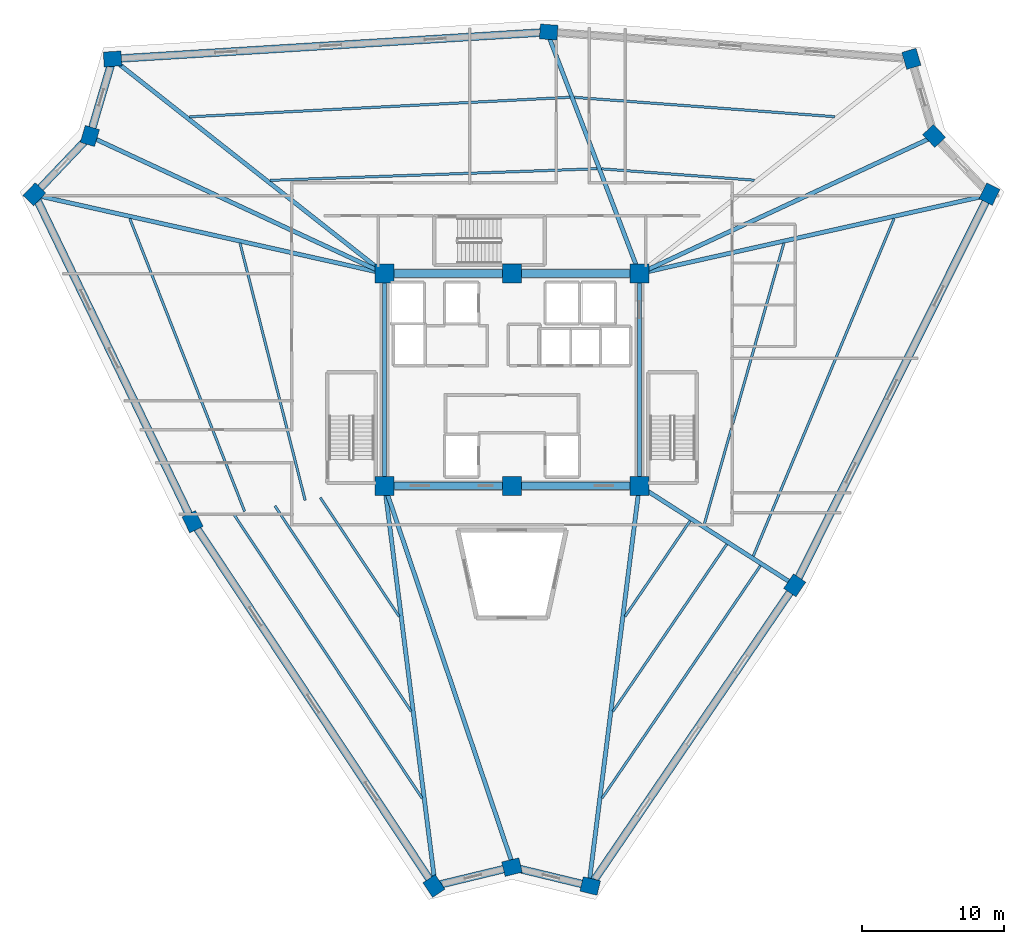
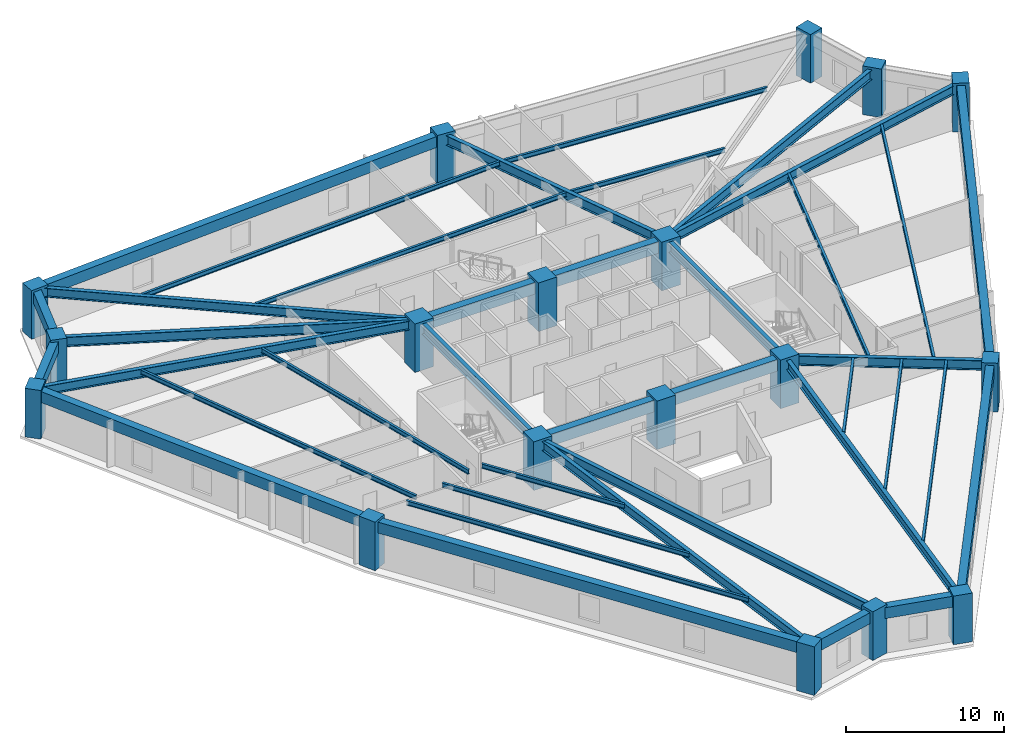
# One storey, part 1 of 8: 39 beams, 18 columns.
"""IFC4 building model written with IfcOpenShell, lengths in metres."""

from ifc_helpers import new_model, si_unit, direction, frame, origin, origin_2d, place, context, subcontext, project, spatial, rectangle, i_section, extrude, source, transform, mapped, material, material_profile, profile_set, type_object, element, save


model = new_model("IFC4")

# Units and contexts
model_context = context("Model", 3, precision=1e-05, world=origin(), true_north=direction((0.0, 1.0)))
body_context = subcontext(model_context, "Body", "Model", "MODEL_VIEW")
ifc_project = project(units=[si_unit("LENGTHUNIT", "METRE"), si_unit("AREAUNIT", "SQUARE_METRE"), si_unit("VOLUMEUNIT", "CUBIC_METRE"), si_unit("PLANEANGLEUNIT", "RADIAN"), si_unit("MASSUNIT", "GRAM", prefix="KILO")], contexts=[model_context])

# Site, building, storey
site_placement = place(None, origin())
site = spatial("IfcSite", under=ifc_project, at=site_placement, CompositionType="ELEMENT")
building_placement = place(site_placement, origin())
building = spatial("IfcBuilding", under=site, at=building_placement, Name="Liaohun Quay Tower", CompositionType="ELEMENT")
storey_placement = place(building_placement, frame((0.0, 0.0, 209.25)))
storey = spatial("IfcBuildingStorey", under=building, at=storey_placement, Name="L54", CompositionType="ELEMENT", Elevation=209.25)

# Columns
ifc_material_1 = material(Name="Concrete C55", Category="concrete")
ifc_material_profile_1 = material_profile(ifc_material_1, rectangle(XDim=1.35009765625, YDim=1.35009765625, at=origin_2d()), Name="RC1350x1350")
ifc_profile_set_1 = profile_set([ifc_material_profile_1], Name="Concrete C55")
column_type_1 = type_object("IfcColumnType", Name="COL-CC-Z3", PredefinedType="COLUMN", material=ifc_profile_set_1)
shared_shape_1 = source(origin(), body_context, "Body", "SweptSolid", [
    extrude(rectangle(XDim=1.35009765625, YDim=1.35009765625, at=origin_2d()), origin(), (0.0, 0.0, 1.0), 3.75),
])
for number, where, z_axis, x_axis, name in (
    (1, (51.0, 46.5, 0.0), (0.0, 0.0, 1.0), (1.0, 0.0, 0.0), "L54 Core Column CC1"),
    (2, (60.0, 46.5, 0.0), (0.0, 0.0, 1.0), (1.0, 0.0, 0.0), "L54 Core Column CC2"),
    (3, (69.0, 46.5, 0.0), (0.0, 0.0, 1.0), (1.0, 0.0, 0.0), "L54 Core Column CC3"),
    (4, (69.0, 61.5, 0.0), (0.0, 0.0, 1.0), (1.0, 0.0, 0.0), "L54 Core Column CC4"),
    (5, (60.0, 61.5, 0.0), (0.0, 0.0, 1.0), (1.0, 0.0, 0.0), "L54 Core Column CC5"),
    (6, (51.0, 61.5, 0.0), (0.0, 0.0, 1.0), (1.0, 0.0, 0.0), "L54 Core Column CC6"),
):
    element("IfcColumn", number, at=place(storey_placement, frame(where, z_axis=z_axis, x_axis=x_axis)), inside=storey, type_object=column_type_1, Name=name, PredefinedType="COLUMN", context=body_context, shape_type="MappedRepresentation", body=[
        mapped(shared_shape_1, transform((0.0, 0.0, 0.0), x_axis=(1.0, 0.0, 0.0), y_axis=(0.0, 1.0, 0.0), z_axis=(0.0, 0.0, 1.0), scale=1.0)),
    ])
ifc_material_profile_2 = material_profile(ifc_material_1, rectangle(XDim=1.25, YDim=1.050048828125, at=origin_2d()), Name="RC1250x1050")
ifc_profile_set_2 = profile_set([ifc_material_profile_2], Name="Concrete C55")
column_type_2 = type_object("IfcColumnType", Name="COL-PIER-Z3", PredefinedType="COLUMN", material=ifc_profile_set_2)
shared_shape_2 = source(origin(), body_context, "Body", "SweptSolid", [
    extrude(rectangle(XDim=1.25, YDim=1.050048828125, at=origin_2d()), origin(), (0.0, 0.0, 1.0), 3.75),
])
for number, where, z_axis, x_axis, name in (
    (7, (54.48388671875, 18.22998046875, 0.0), (0.0, 0.0, 1.0), (-0.552373531229, 0.833596714243, 0.0), "L54 Perimeter Pier PC01"),
    (8, (37.431884765625, 43.964111328125, 0.0), (0.0, 0.0, 1.0), (-0.434916802325, 0.900470640862, 0.0), "L54 Perimeter Pier PC02"),
    (9, (26.259033203125, 67.10302734375, 0.0), (0.0, 0.0, 1.0), (0.68936671806, 0.724412539946, 0.0), "L54 Perimeter Pier PC03"),
    (10, (30.176025390625, 71.218994140625, 0.0), (0.0, 0.0, 1.0), (0.282676303383, 0.959215360337, 0.0), "L54 Perimeter Pier PC04"),
    (11, (31.780029296875, 76.662109375, 0.0), (0.0, 0.0, 1.0), (0.998102696661, 0.061571153301, 0.0), "L54 Perimeter Pier PC05"),
    (12, (62.593017578125, 78.56201171875, 0.0), (0.0, 0.0, 1.0), (-0.997288851512, 0.073586321085, 0.0), "L54 Perimeter Pier PC06"),
    (13, (88.218017578125, 76.669921875, 0.0), (0.0, 0.0, 1.0), (-0.282676303383, 0.959215360337, 0.0), "L54 Perimeter Pier PC07"),
    (14, (89.823974609375, 71.218994140625, 0.0), (0.0, 0.0, 1.0), (-0.68936671806, 0.724412539946, 0.0), "L54 Perimeter Pier PC08"),
    (15, (93.736083984375, 67.10888671875, 0.0), (0.0, 0.0, 1.0), (0.445729165431, 0.895167867544, 0.0), "L54 Perimeter Pier PC09"),
    (16, (79.97509765625, 39.472900390625, 0.0), (0.0, 0.0, 1.0), (0.562516359159, 0.826786154745, 0.0), "L54 Perimeter Pier PC10"),
    (17, (65.52294921875, 18.22802734375, 0.0), (0.0, 0.0, 1.0), (-0.972043021443, 0.234802820391, 0.0), "L54 Perimeter Pier PC11"),
    (18, (60.0, 19.56201171875, 0.0), (0.0, 0.0, 1.0), (0.972043021443, 0.234802820391, 0.0), "L54 Perimeter Pier PC12"),
):
    element("IfcColumn", number, at=place(storey_placement, frame(where, z_axis=z_axis, x_axis=x_axis)), inside=storey, type_object=column_type_2, Name=name, PredefinedType="COLUMN", context=body_context, shape_type="MappedRepresentation", body=[
        mapped(shared_shape_2, transform((0.0, 0.0, 0.0), x_axis=(1.0, 0.0, 0.0), y_axis=(0.0, 1.0, 0.0), z_axis=(0.0, 0.0, 1.0), scale=1.0)),
    ])

# Beams
ifc_material_2 = material(Name="Steel Q355D", Category="steel")
ifc_material_profile_3 = material_profile(ifc_material_2, i_section(OverallWidth=0.300048828125, OverallDepth=0.800048828125, WebThickness=0.013916015625, FlangeThickness=0.02587890625, at=origin_2d()), Name="HN800x300x14x26")
ifc_profile_set_3 = profile_set([ifc_material_profile_3], Name="Steel Q355D")
beam_type_1 = type_object("IfcBeamType", Name="BM-RAD-M1", PredefinedType="BEAM", material=ifc_profile_set_3)
shared_shape_3 = source(origin(), body_context, "Body", "SweptSolid", [
    extrude(i_section(OverallWidth=0.300048828125, OverallDepth=0.800048828125, WebThickness=0.013916015625, FlangeThickness=0.02587890625, at=origin_2d()), origin(), (0.0, 0.0, 1.0), 15.0),
])
for number, where, z_axis, x_axis, name in (
    (19, (69.0, 46.5, 3.169921875), (0.0, 1.0, 0.0), (-1.0, 0.0, 0.0), "L54 Core Coupling/Ring Beam CC3-CC4"),
    (20, (51.0, 61.5, 3.169921875), (0.0, -1.0, 0.0), (1.0, 0.0, 0.0), "L54 Core Coupling/Ring Beam CC6-CC1"),
):
    element("IfcBeam", number, at=place(storey_placement, frame(where, z_axis=z_axis, x_axis=x_axis)), inside=storey, type_object=beam_type_1, Name=name, PredefinedType="BEAM", context=body_context, shape_type="MappedRepresentation", body=[
        mapped(shared_shape_3, transform((0.0, 0.0, 0.0), x_axis=(1.0, 0.0, 0.0), y_axis=(0.0, 1.0, 0.0), z_axis=(0.0, 0.0, 1.0), scale=1.0)),
    ])
ifc_material_profile_4 = material_profile(ifc_material_1, rectangle(XDim=0.550048828125, YDim=0.89990234375, at=origin_2d()), Name="RC550x900")
ifc_profile_set_4 = profile_set([ifc_material_profile_4], Name="Concrete C55")
beam_type_2 = type_object("IfcBeamType", Name="BM-CPL-2", PredefinedType="LINTEL", material=ifc_profile_set_4)
shared_shape_4 = source(origin(), body_context, "Body", "SweptSolid", [
    extrude(rectangle(XDim=0.550048828125, YDim=0.89990234375, at=origin_2d()), origin(), (0.0, 0.0, 1.0), 9.0),
])
for number, where, z_axis, x_axis, name in (
    (21, (51.0, 46.5, 3.1201171875), (1.0, 0.0, 0.0), (0.0, 1.0, 0.0), "L54 Core Coupling/Ring Beam CC1-CC2"),
    (22, (60.0, 46.5, 3.1201171875), (1.0, 0.0, 0.0), (0.0, 1.0, 0.0), "L54 Core Coupling/Ring Beam CC2-CC3"),
    (23, (69.0, 61.5, 3.1201171875), (-1.0, 0.0, 0.0), (0.0, -1.0, 0.0), "L54 Core Coupling/Ring Beam CC4-CC5"),
    (24, (60.0, 61.5, 3.1201171875), (-1.0, 0.0, 0.0), (0.0, -1.0, 0.0), "L54 Core Coupling/Ring Beam CC5-CC6"),
):
    element("IfcBeam", number, at=place(storey_placement, frame(where, z_axis=z_axis, x_axis=x_axis)), inside=storey, type_object=beam_type_2, Name=name, PredefinedType="LINTEL", context=body_context, shape_type="MappedRepresentation", body=[
        mapped(shared_shape_4, transform((0.0, 0.0, 0.0), x_axis=(1.0, 0.0, 0.0), y_axis=(0.0, 1.0, 0.0), z_axis=(0.0, 0.0, 1.0), scale=1.0)),
    ])
ifc_material_3 = material(Name="Precast concrete C50", Category="concrete")
ifc_material_profile_5 = material_profile(ifc_material_3, rectangle(XDim=0.550048828125, YDim=0.85009765625, at=origin_2d()), Name="RC550x850")
ifc_profile_set_5 = profile_set([ifc_material_profile_5], Name="Precast concrete C50")
beam_type_3 = type_object("IfcBeamType", Name="BM-SPD-Z3", PredefinedType="SPANDREL", material=ifc_profile_set_5)
shared_shape_5 = source(origin(), body_context, "Body", "SweptSolid", [
    extrude(rectangle(XDim=0.550048828125, YDim=0.85009765625, at=origin_2d()), origin(), (0.0, 0.0, 1.0), 30.870849609375),
])
beam_1_placement = place(storey_placement, frame((54.48388671875, 18.22998046875, 3.14501953125), z_axis=(-0.552363811964, 0.833603154524, 0.0), x_axis=(-0.833603154524, -0.552363811964, 0.0)))
element("IfcBeam", 25, at=beam_1_placement, inside=storey, type_object=beam_type_3, Name="L54 Precast Spandrel Beam PC01-PC02", PredefinedType="SPANDREL", context=body_context, shape_type="MappedRepresentation", body=[
    mapped(shared_shape_5, transform((0.0, 0.0, 0.0), x_axis=(1.0, 0.0, 0.0), y_axis=(0.0, 1.0, 0.0), z_axis=(0.0, 0.0, 1.0), scale=1.0)),
])
shared_shape_6 = source(origin(), body_context, "Body", "SweptSolid", [
    extrude(rectangle(XDim=0.550048828125, YDim=0.85009765625, at=origin_2d()), origin(), (0.0, 0.0, 1.0), 25.695068359375),
])
beam_2_placement = place(storey_placement, frame((37.431884765625, 43.964111328125, 3.14501953125), z_axis=(-0.434822931716, 0.900515973237, 0.0), x_axis=(-0.900515973237, -0.434822931716, 0.0)))
element("IfcBeam", 26, at=beam_2_placement, inside=storey, type_object=beam_type_3, Name="L54 Precast Spandrel Beam PC02-PC03", PredefinedType="SPANDREL", context=body_context, shape_type="MappedRepresentation", body=[
    mapped(shared_shape_6, transform((0.0, 0.0, 0.0), x_axis=(1.0, 0.0, 0.0), y_axis=(0.0, 1.0, 0.0), z_axis=(0.0, 0.0, 1.0), scale=1.0)),
])
shared_shape_7 = source(origin(), body_context, "Body", "SweptSolid", [
    extrude(rectangle(XDim=0.550048828125, YDim=0.85009765625, at=origin_2d()), origin(), (0.0, 0.0, 1.0), 5.681884765625),
])
for number, where, z_axis, x_axis, name in (
    (27, (26.259033203125, 67.10302734375, 3.14501953125), (0.689380453847, 0.724399468425, 0.0), (-0.724399468425, 0.689380453847, 0.0), "L54 Precast Spandrel Beam PC03-PC04"),
    (28, (65.52294921875, 18.22802734375, 3.14501953125), (-0.972047726217, 0.234783342589, 0.0), (-0.234783342589, -0.972047726217, 0.0), "L54 Precast Spandrel Beam PC11-PC12"),
):
    element("IfcBeam", number, at=place(storey_placement, frame(where, z_axis=z_axis, x_axis=x_axis)), inside=storey, type_object=beam_type_3, Name=name, PredefinedType="SPANDREL", context=body_context, shape_type="MappedRepresentation", body=[
        mapped(shared_shape_7, transform((0.0, 0.0, 0.0), x_axis=(1.0, 0.0, 0.0), y_axis=(0.0, 1.0, 0.0), z_axis=(0.0, 0.0, 1.0), scale=1.0)),
    ])
shared_shape_8 = source(origin(), body_context, "Body", "SweptSolid", [
    extrude(rectangle(XDim=0.550048828125, YDim=0.85009765625, at=origin_2d()), origin(), (0.0, 0.0, 1.0), 5.674560546875),
])
for number, where, z_axis, x_axis, name in (
    (29, (30.176025390625, 71.218994140625, 3.14501953125), (0.282667089341, 0.959218075624, 0.0), (-0.959218075624, 0.282667089341, 0.0), "L54 Precast Spandrel Beam PC04-PC05"),
    (30, (60.0, 19.56201171875, 3.14501953125), (-0.972059870924, -0.234733055491, 0.0), (0.234733055491, -0.972059870924, 0.0), "L54 Precast Spandrel Beam PC12-PC01"),
):
    element("IfcBeam", number, at=place(storey_placement, frame(where, z_axis=z_axis, x_axis=x_axis)), inside=storey, type_object=beam_type_3, Name=name, PredefinedType="SPANDREL", context=body_context, shape_type="MappedRepresentation", body=[
        mapped(shared_shape_8, transform((0.0, 0.0, 0.0), x_axis=(1.0, 0.0, 0.0), y_axis=(0.0, 1.0, 0.0), z_axis=(0.0, 0.0, 1.0), scale=1.0)),
    ])
shared_shape_9 = source(origin(), body_context, "Body", "SweptSolid", [
    extrude(rectangle(XDim=0.550048828125, YDim=0.85009765625, at=origin_2d()), origin(), (0.0, 0.0, 1.0), 30.87158203125),
])
beam_3_placement = place(storey_placement, frame((31.780029296875, 76.662109375, 3.14501953125), z_axis=(0.998104478413, 0.061542263299, 0.0), x_axis=(-0.061542263299, 0.998104478413, 0.0)))
element("IfcBeam", 31, at=beam_3_placement, inside=storey, type_object=beam_type_3, Name="L54 Precast Spandrel Beam PC05-PC06", PredefinedType="SPANDREL", context=body_context, shape_type="MappedRepresentation", body=[
    mapped(shared_shape_9, transform((0.0, 0.0, 0.0), x_axis=(1.0, 0.0, 0.0), y_axis=(0.0, 1.0, 0.0), z_axis=(0.0, 0.0, 1.0), scale=1.0)),
])
shared_shape_10 = source(origin(), body_context, "Body", "SweptSolid", [
    extrude(rectangle(XDim=0.550048828125, YDim=0.85009765625, at=origin_2d()), origin(), (0.0, 0.0, 1.0), 30.87255859375),
])
beam_4_placement = place(storey_placement, frame((93.736083984375, 67.10888671875, 3.14501953125), z_axis=(-0.4457357667, -0.895164580557, 0.0), x_axis=(0.895164580557, -0.4457357667, 0.0)))
element("IfcBeam", 32, at=beam_4_placement, inside=storey, type_object=beam_type_3, Name="L54 Precast Spandrel Beam PC09-PC10", PredefinedType="SPANDREL", context=body_context, shape_type="MappedRepresentation", body=[
    mapped(shared_shape_10, transform((0.0, 0.0, 0.0), x_axis=(1.0, 0.0, 0.0), y_axis=(0.0, 1.0, 0.0), z_axis=(0.0, 0.0, 1.0), scale=1.0)),
])
shared_shape_11 = source(origin(), body_context, "Body", "SweptSolid", [
    extrude(rectangle(XDim=0.550048828125, YDim=0.85009765625, at=origin_2d()), origin(), (0.0, 0.0, 1.0), 25.694580078125),
])
beam_5_placement = place(storey_placement, frame((79.97509765625, 39.472900390625, 3.14501953125), z_axis=(-0.5624599699, -0.82682451721, 0.0), x_axis=(0.82682451721, -0.5624599699, 0.0)))
element("IfcBeam", 33, at=beam_5_placement, inside=storey, type_object=beam_type_3, Name="L54 Precast Spandrel Beam PC10-PC11", PredefinedType="SPANDREL", context=body_context, shape_type="MappedRepresentation", body=[
    mapped(shared_shape_11, transform((0.0, 0.0, 0.0), x_axis=(1.0, 0.0, 0.0), y_axis=(0.0, 1.0, 0.0), z_axis=(0.0, 0.0, 1.0), scale=1.0)),
])
ifc_material_profile_6 = material_profile(ifc_material_2, i_section(OverallWidth=0.300048828125, OverallDepth=0.699951171875, WebThickness=0.012939453125, FlangeThickness=0.02392578125, at=origin_2d()), Name="HN700x300x13x24")
ifc_profile_set_6 = profile_set([ifc_material_profile_6], Name="Steel Q355D")
beam_type_4 = type_object("IfcBeamType", Name="BM-RAD-U1", PredefinedType="BEAM", material=ifc_profile_set_6)
shared_shape_12 = source(origin(), body_context, "Body", "SweptSolid", [
    extrude(i_section(OverallWidth=0.300048828125, OverallDepth=0.699951171875, WebThickness=0.012939453125, FlangeThickness=0.02392578125, at=origin_2d()), origin(), (0.0, 0.0, 1.0), 28.153076171875),
])
beam_6_placement = place(storey_placement, frame((51.0, 46.5, 3.219970703125), z_axis=(0.125672883765, -0.992071734446, 0.0), x_axis=(0.992071734446, 0.125672883765, 0.0)))
element("IfcBeam", 34, at=beam_6_placement, inside=storey, type_object=beam_type_4, Name="L54 Radial Primary Girder CC1-PC01", PredefinedType="BEAM", context=body_context, shape_type="MappedRepresentation", body=[
    mapped(shared_shape_12, transform((0.0, 0.0, 0.0), x_axis=(1.0, 0.0, 0.0), y_axis=(0.0, 1.0, 0.0), z_axis=(0.0, 0.0, 1.0), scale=1.0)),
])
shared_shape_13 = source(origin(), body_context, "Body", "SweptSolid", [
    extrude(i_section(OverallWidth=0.300048828125, OverallDepth=0.699951171875, WebThickness=0.012939453125, FlangeThickness=0.02392578125, at=origin_2d()), origin(), (0.0, 0.0, 1.0), 25.0263671875),
])
beam_7_placement = place(storey_placement, frame((51.0, 61.5, 3.219970703125), z_axis=(-0.975731822628, 0.218968971113, 0.0), x_axis=(-0.218968971113, -0.975731822628, 0.0)))
element("IfcBeam", 35, at=beam_7_placement, inside=storey, type_object=beam_type_4, Name="L54 Radial Primary Girder CC6-PC03", PredefinedType="BEAM", context=body_context, shape_type="MappedRepresentation", body=[
    mapped(shared_shape_13, transform((0.0, 0.0, 0.0), x_axis=(1.0, 0.0, 0.0), y_axis=(0.0, 1.0, 0.0), z_axis=(0.0, 0.0, 1.0), scale=1.0)),
])
ifc_material_profile_7 = material_profile(ifc_material_2, i_section(OverallWidth=0.300048828125, OverallDepth=0.75, WebThickness=0.013916015625, FlangeThickness=0.02587890625, at=origin_2d()), Name="HN750x300x14x26")
ifc_profile_set_7 = profile_set([ifc_material_profile_7], Name="Steel Q355D")
beam_type_5 = type_object("IfcBeamType", Name="BM-RAD-M2", PredefinedType="BEAM", material=ifc_profile_set_7)
shared_shape_14 = source(origin(), body_context, "Body", "SweptSolid", [
    extrude(i_section(OverallWidth=0.300048828125, OverallDepth=0.75, WebThickness=0.013916015625, FlangeThickness=0.02587890625, at=origin_2d()), origin(), (0.0, 0.0, 1.0), 22.654541015625),
])
for number, where, z_axis, x_axis, name in (
    (36, (51.0, 61.5, 3.195068359375), (-0.906704723403, 0.421765983168, 0.0), (-0.421765983168, -0.906704723403, 0.0), "L54 Radial Primary Girder CC6-PC04"),
    (37, (69.0, 61.5, 3.195068359375), (0.906704723403, 0.421765983168, 0.0), (-0.421765983168, 0.906704723403, 0.0), "L54 Radial Primary Girder CC4-PC08"),
):
    element("IfcBeam", number, at=place(storey_placement, frame(where, z_axis=z_axis, x_axis=x_axis)), inside=storey, type_object=beam_type_5, Name=name, PredefinedType="BEAM", context=body_context, shape_type="MappedRepresentation", body=[
        mapped(shared_shape_14, transform((0.0, 0.0, 0.0), x_axis=(1.0, 0.0, 0.0), y_axis=(0.0, 1.0, 0.0), z_axis=(0.0, 0.0, 1.0), scale=1.0)),
    ])
shared_shape_15 = source(origin(), body_context, "Body", "SweptSolid", [
    extrude(i_section(OverallWidth=0.300048828125, OverallDepth=0.699951171875, WebThickness=0.012939453125, FlangeThickness=0.02392578125, at=origin_2d()), origin(), (0.0, 0.0, 1.0), 24.1357421875),
])
beam_8_placement = place(storey_placement, frame((51.0, 61.5, 3.219970703125), z_axis=(-0.785224427655, 0.619211271064, 0.0), x_axis=(-0.619211271064, -0.785224427655, 0.0)))
element("IfcBeam", 38, at=beam_8_placement, inside=storey, type_object=beam_type_4, Name="L54 Radial Primary Girder CC6-PC05", PredefinedType="BEAM", context=body_context, shape_type="MappedRepresentation", body=[
    mapped(shared_shape_15, transform((0.0, 0.0, 0.0), x_axis=(1.0, 0.0, 0.0), y_axis=(0.0, 1.0, 0.0), z_axis=(0.0, 0.0, 1.0), scale=1.0)),
])
shared_shape_16 = source(origin(), body_context, "Body", "SweptSolid", [
    extrude(i_section(OverallWidth=0.300048828125, OverallDepth=0.75, WebThickness=0.013916015625, FlangeThickness=0.02587890625, at=origin_2d()), origin(), (0.0, 0.0, 1.0), 18.026123046875),
])
beam_9_placement = place(storey_placement, frame((69.0, 61.5, 3.195068359375), z_axis=(-0.356752715154, 0.934198854758, 0.0), x_axis=(-0.934198854758, -0.356752715154, 0.0)))
element("IfcBeam", 39, at=beam_9_placement, inside=storey, type_object=beam_type_5, Name="L54 Radial Primary Girder CC4-PC06", PredefinedType="BEAM", context=body_context, shape_type="MappedRepresentation", body=[
    mapped(shared_shape_16, transform((0.0, 0.0, 0.0), x_axis=(1.0, 0.0, 0.0), y_axis=(0.0, 1.0, 0.0), z_axis=(0.0, 0.0, 1.0), scale=1.0)),
])
shared_shape_17 = source(origin(), body_context, "Body", "SweptSolid", [
    extrude(i_section(OverallWidth=0.300048828125, OverallDepth=0.699951171875, WebThickness=0.012939453125, FlangeThickness=0.02392578125, at=origin_2d()), origin(), (0.0, 0.0, 1.0), 25.022705078125),
])
beam_10_placement = place(storey_placement, frame((69.0, 61.5, 3.219970703125), z_axis=(0.975678661341, 0.219205724843, 0.0), x_axis=(-0.219205724843, 0.975678661341, 0.0)))
element("IfcBeam", 40, at=beam_10_placement, inside=storey, type_object=beam_type_4, Name="L54 Radial Primary Girder CC4-PC09", PredefinedType="BEAM", context=body_context, shape_type="MappedRepresentation", body=[
    mapped(shared_shape_17, transform((0.0, 0.0, 0.0), x_axis=(1.0, 0.0, 0.0), y_axis=(0.0, 1.0, 0.0), z_axis=(0.0, 0.0, 1.0), scale=1.0)),
])
shared_shape_18 = source(origin(), body_context, "Body", "SweptSolid", [
    extrude(i_section(OverallWidth=0.300048828125, OverallDepth=0.75, WebThickness=0.013916015625, FlangeThickness=0.02587890625, at=origin_2d()), origin(), (0.0, 0.0, 1.0), 12.80908203125),
])
beam_11_placement = place(storey_placement, frame((69.0, 46.5, 3.195068359375), z_axis=(0.842757747677, -0.538293023111, 0.0), x_axis=(0.538293023111, 0.842757747677, 0.0)))
element("IfcBeam", 41, at=beam_11_placement, inside=storey, type_object=beam_type_5, Name="L54 Radial Primary Girder CC3-PC10", PredefinedType="BEAM", context=body_context, shape_type="MappedRepresentation", body=[
    mapped(shared_shape_18, transform((0.0, 0.0, 0.0), x_axis=(1.0, 0.0, 0.0), y_axis=(0.0, 1.0, 0.0), z_axis=(0.0, 0.0, 1.0), scale=1.0)),
])
shared_shape_19 = source(origin(), body_context, "Body", "SweptSolid", [
    extrude(i_section(OverallWidth=0.300048828125, OverallDepth=0.699951171875, WebThickness=0.012939453125, FlangeThickness=0.02392578125, at=origin_2d()), origin(), (0.0, 0.0, 1.0), 28.154296875),
])
beam_12_placement = place(storey_placement, frame((69.0, 46.5, 3.219970703125), z_axis=(-0.125416727027, -0.992104150068, 0.0), x_axis=(0.992104150068, -0.125416727027, 0.0)))
element("IfcBeam", 42, at=beam_12_placement, inside=storey, type_object=beam_type_4, Name="L54 Radial Primary Girder CC3-PC11", PredefinedType="BEAM", context=body_context, shape_type="MappedRepresentation", body=[
    mapped(shared_shape_19, transform((0.0, 0.0, 0.0), x_axis=(1.0, 0.0, 0.0), y_axis=(0.0, 1.0, 0.0), z_axis=(0.0, 0.0, 1.0), scale=1.0)),
])
shared_shape_20 = source(origin(), body_context, "Body", "SweptSolid", [
    extrude(i_section(OverallWidth=0.300048828125, OverallDepth=0.75, WebThickness=0.013916015625, FlangeThickness=0.02587890625, at=origin_2d()), origin(), (0.0, 0.0, 1.0), 28.091796875),
])
beam_13_placement = place(storey_placement, frame((51.0, 46.5, 3.195068359375), z_axis=(0.320378074251, -0.947289760073, 0.0), x_axis=(0.947289760073, 0.320378074251, 0.0)))
element("IfcBeam", 43, at=beam_13_placement, inside=storey, type_object=beam_type_5, Name="L54 Radial Primary Girder CC1-PC12", PredefinedType="BEAM", context=body_context, shape_type="MappedRepresentation", body=[
    mapped(shared_shape_20, transform((0.0, 0.0, 0.0), x_axis=(1.0, 0.0, 0.0), y_axis=(0.0, 1.0, 0.0), z_axis=(0.0, 0.0, 1.0), scale=1.0)),
])
ifc_material_profile_8 = material_profile(ifc_material_2, i_section(OverallWidth=0.175048828125, OverallDepth=0.35009765625, WebThickness=0.007080078125, FlangeThickness=0.010986328125, at=origin_2d()), Name="HN350x175x7x11")
ifc_profile_set_8 = profile_set([ifc_material_profile_8], Name="Steel Q355D")
beam_type_6 = type_object("IfcBeamType", Name="BM-SEC-J3", PredefinedType="JOIST", material=ifc_profile_set_8)
shared_shape_21 = source(origin(), body_context, "Body", "SweptSolid", [
    extrude(i_section(OverallWidth=0.175048828125, OverallDepth=0.35009765625, WebThickness=0.007080078125, FlangeThickness=0.010986328125, at=origin_2d()), origin(), (0.0, 0.0, 1.0), 10.05859375),
])
beam_14_placement = place(storey_placement, frame((52.01611328125, 37.285888671875, 3.39501953125), z_axis=(-0.552771880767, 0.833332615367, 0.0), x_axis=(-0.833332615367, -0.552771880767, 0.0)))
element("IfcBeam", 44, at=beam_14_placement, inside=storey, type_object=beam_type_6, Name="L54 Wing Secondary Floor Joist SJ-01", PredefinedType="JOIST", context=body_context, shape_type="MappedRepresentation", body=[
    mapped(shared_shape_21, transform((0.0, 0.0, 0.0), x_axis=(1.0, 0.0, 0.0), y_axis=(0.0, 1.0, 0.0), z_axis=(0.0, 0.0, 1.0), scale=1.0)),
])
shared_shape_22 = source(origin(), body_context, "Body", "SweptSolid", [
    extrude(i_section(OverallWidth=0.175048828125, OverallDepth=0.35009765625, WebThickness=0.007080078125, FlangeThickness=0.010986328125, at=origin_2d()), origin(), (0.0, 0.0, 1.0), 17.39794921875),
])
beam_15_placement = place(storey_placement, frame((52.864990234375, 30.58203125, 3.39501953125), z_axis=(-0.55270703937, 0.833375622772, 0.0), x_axis=(-0.833375622772, -0.55270703937, 0.0)))
element("IfcBeam", 45, at=beam_15_placement, inside=storey, type_object=beam_type_6, Name="L54 Wing Secondary Floor Joist SJ-02", PredefinedType="JOIST", context=body_context, shape_type="MappedRepresentation", body=[
    mapped(shared_shape_22, transform((0.0, 0.0, 0.0), x_axis=(1.0, 0.0, 0.0), y_axis=(0.0, 1.0, 0.0), z_axis=(0.0, 0.0, 1.0), scale=1.0)),
])
shared_shape_23 = source(origin(), body_context, "Body", "SweptSolid", [
    extrude(i_section(OverallWidth=0.175048828125, OverallDepth=0.35009765625, WebThickness=0.007080078125, FlangeThickness=0.010986328125, at=origin_2d()), origin(), (0.0, 0.0, 1.0), 24.125244140625),
])
beam_16_placement = place(storey_placement, frame((53.64404296875, 24.43798828125, 3.39501953125), z_axis=(-0.552736993303, 0.833355756106, 0.0), x_axis=(-0.833355756106, -0.552736993303, 0.0)))
element("IfcBeam", 46, at=beam_16_placement, inside=storey, type_object=beam_type_6, Name="L54 Wing Secondary Floor Joist SJ-03", PredefinedType="JOIST", context=body_context, shape_type="MappedRepresentation", body=[
    mapped(shared_shape_23, transform((0.0, 0.0, 0.0), x_axis=(1.0, 0.0, 0.0), y_axis=(0.0, 1.0, 0.0), z_axis=(0.0, 0.0, 1.0), scale=1.0)),
])
shared_shape_24 = source(origin(), body_context, "Body", "SweptSolid", [
    extrude(i_section(OverallWidth=0.175048828125, OverallDepth=0.35009765625, WebThickness=0.007080078125, FlangeThickness=0.010986328125, at=origin_2d()), origin(), (0.0, 0.0, 1.0), 18.739990234375),
])
beam_17_placement = place(storey_placement, frame((45.386962890625, 45.472900390625, 3.39501953125), z_axis=(-0.245575291012, 0.969377520084, 0.0), x_axis=(-0.969377520084, -0.245575291012, 0.0)))
element("IfcBeam", 47, at=beam_17_placement, inside=storey, type_object=beam_type_6, Name="L54 Wing Secondary Floor Joist SJ-04", PredefinedType="JOIST", context=body_context, shape_type="MappedRepresentation", body=[
    mapped(shared_shape_24, transform((0.0, 0.0, 0.0), x_axis=(1.0, 0.0, 0.0), y_axis=(0.0, 1.0, 0.0), z_axis=(0.0, 0.0, 1.0), scale=1.0)),
])
shared_shape_25 = source(origin(), body_context, "Body", "SweptSolid", [
    extrude(i_section(OverallWidth=0.175048828125, OverallDepth=0.35009765625, WebThickness=0.007080078125, FlangeThickness=0.010986328125, at=origin_2d()), origin(), (0.0, 0.0, 1.0), 22.23095703125),
])
beam_18_placement = place(storey_placement, frame((41.111083984375, 44.68994140625, 3.39501953125), z_axis=(-0.365029485815, 0.930995958362, 0.0), x_axis=(-0.930995958362, -0.365029485815, 0.0)))
element("IfcBeam", 48, at=beam_18_placement, inside=storey, type_object=beam_type_6, Name="L54 Wing Secondary Floor Joist SJ-05", PredefinedType="JOIST", context=body_context, shape_type="MappedRepresentation", body=[
    mapped(shared_shape_25, transform((0.0, 0.0, 0.0), x_axis=(1.0, 0.0, 0.0), y_axis=(0.0, 1.0, 0.0), z_axis=(0.0, 0.0, 1.0), scale=1.0)),
])
shared_shape_26 = source(origin(), body_context, "Body", "SweptSolid", [
    extrude(i_section(OverallWidth=0.175048828125, OverallDepth=0.35009765625, WebThickness=0.007080078125, FlangeThickness=0.010986328125, at=origin_2d()), origin(), (0.0, 0.0, 1.0), 23.133544921875),
])
beam_19_placement = place(storey_placement, frame((42.89306640625, 68.083984375, 3.39501953125), z_axis=(0.999371469562, 0.035449482721, 0.0), x_axis=(-0.035449482721, 0.999371469562, 0.0)))
element("IfcBeam", 49, at=beam_19_placement, inside=storey, type_object=beam_type_6, Name="L54 Wing Secondary Floor Joist SJ-06", PredefinedType="JOIST", context=body_context, shape_type="MappedRepresentation", body=[
    mapped(shared_shape_26, transform((0.0, 0.0, 0.0), x_axis=(1.0, 0.0, 0.0), y_axis=(0.0, 1.0, 0.0), z_axis=(0.0, 0.0, 1.0), scale=1.0)),
])
shared_shape_27 = source(origin(), body_context, "Body", "SweptSolid", [
    extrude(i_section(OverallWidth=0.175048828125, OverallDepth=0.35009765625, WebThickness=0.007080078125, FlangeThickness=0.010986328125, at=origin_2d()), origin(), (0.0, 0.0, 1.0), 26.916748046875),
])
beam_20_placement = place(storey_placement, frame((37.202880859375, 72.571044921875, 3.39501953125), z_axis=(0.998679025152, 0.05138292246, 0.0), x_axis=(-0.05138292246, 0.998679025152, 0.0)))
element("IfcBeam", 50, at=beam_20_placement, inside=storey, type_object=beam_type_6, Name="L54 Wing Secondary Floor Joist SJ-07", PredefinedType="JOIST", context=body_context, shape_type="MappedRepresentation", body=[
    mapped(shared_shape_27, transform((0.0, 0.0, 0.0), x_axis=(1.0, 0.0, 0.0), y_axis=(0.0, 1.0, 0.0), z_axis=(0.0, 0.0, 1.0), scale=1.0)),
])
shared_shape_28 = source(origin(), body_context, "Body", "SweptSolid", [
    extrude(i_section(OverallWidth=0.175048828125, OverallDepth=0.35009765625, WebThickness=0.007080078125, FlangeThickness=0.010986328125, at=origin_2d()), origin(), (0.0, 0.0, 1.0), 10.810791015625),
])
beam_21_placement = place(storey_placement, frame((66.3359375, 68.89697265625, 3.39501953125), z_axis=(0.997244475117, -0.074185287275, 0.0), x_axis=(0.074185287275, 0.997244475117, 0.0)))
element("IfcBeam", 51, at=beam_21_placement, inside=storey, type_object=beam_type_6, Name="L54 Wing Secondary Floor Joist SJ-08", PredefinedType="JOIST", context=body_context, shape_type="MappedRepresentation", body=[
    mapped(shared_shape_28, transform((0.0, 0.0, 0.0), x_axis=(1.0, 0.0, 0.0), y_axis=(0.0, 1.0, 0.0), z_axis=(0.0, 0.0, 1.0), scale=1.0)),
])
shared_shape_29 = source(origin(), body_context, "Body", "SweptSolid", [
    extrude(i_section(OverallWidth=0.175048828125, OverallDepth=0.35009765625, WebThickness=0.007080078125, FlangeThickness=0.010986328125, at=origin_2d()), origin(), (0.0, 0.0, 1.0), 18.44677734375),
])
beam_22_placement = place(storey_placement, frame((64.406005859375, 73.948974609375, 3.39501953125), z_axis=(0.99724673346, -0.074154922994, 0.0), x_axis=(0.074154922994, 0.99724673346, 0.0)))
element("IfcBeam", 52, at=beam_22_placement, inside=storey, type_object=beam_type_6, Name="L54 Wing Secondary Floor Joist SJ-09", PredefinedType="JOIST", context=body_context, shape_type="MappedRepresentation", body=[
    mapped(shared_shape_29, transform((0.0, 0.0, 0.0), x_axis=(1.0, 0.0, 0.0), y_axis=(0.0, 1.0, 0.0), z_axis=(0.0, 0.0, 1.0), scale=1.0)),
])
shared_shape_30 = source(origin(), body_context, "Body", "SweptSolid", [
    extrude(i_section(OverallWidth=0.175048828125, OverallDepth=0.35009765625, WebThickness=0.007080078125, FlangeThickness=0.010986328125, at=origin_2d()), origin(), (0.0, 0.0, 1.0), 20.666748046875),
])
beam_23_placement = place(storey_placement, frame((79.20703125, 63.639892578125, 3.39501953125), z_axis=(-0.272425232465, -0.962176954991, 0.0), x_axis=(0.962176954991, -0.272425232465, 0.0)))
element("IfcBeam", 53, at=beam_23_placement, inside=storey, type_object=beam_type_6, Name="L54 Wing Secondary Floor Joist SJ-10", PredefinedType="JOIST", context=body_context, shape_type="MappedRepresentation", body=[
    mapped(shared_shape_30, transform((0.0, 0.0, 0.0), x_axis=(1.0, 0.0, 0.0), y_axis=(0.0, 1.0, 0.0), z_axis=(0.0, 0.0, 1.0), scale=1.0)),
])
shared_shape_31 = source(origin(), body_context, "Body", "SweptSolid", [
    extrude(i_section(OverallWidth=0.175048828125, OverallDepth=0.35009765625, WebThickness=0.007080078125, FlangeThickness=0.010986328125, at=origin_2d()), origin(), (0.0, 0.0, 1.0), 25.8427734375),
])
beam_24_placement = place(storey_placement, frame((86.99609375, 65.388916015625, 3.39501953125), z_axis=(-0.384982285177, -0.922923962253, 0.0), x_axis=(0.922923962253, -0.384982285177, 0.0)))
element("IfcBeam", 54, at=beam_24_placement, inside=storey, type_object=beam_type_6, Name="L54 Wing Secondary Floor Joist SJ-11", PredefinedType="JOIST", context=body_context, shape_type="MappedRepresentation", body=[
    mapped(shared_shape_31, transform((0.0, 0.0, 0.0), x_axis=(1.0, 0.0, 0.0), y_axis=(0.0, 1.0, 0.0), z_axis=(0.0, 0.0, 1.0), scale=1.0)),
])
shared_shape_32 = source(origin(), body_context, "Body", "SweptSolid", [
    extrude(i_section(OverallWidth=0.175048828125, OverallDepth=0.35009765625, WebThickness=0.007080078125, FlangeThickness=0.010986328125, at=origin_2d()), origin(), (0.0, 0.0, 1.0), 8.173828125),
])
beam_25_placement = place(storey_placement, frame((72.5859375, 44.031982421875, 3.39501953125), z_axis=(-0.562868698773, -0.826546325345, 0.0), x_axis=(0.826546325345, -0.562868698773, 0.0)))
element("IfcBeam", 55, at=beam_25_placement, inside=storey, type_object=beam_type_6, Name="L54 Wing Secondary Floor Joist SJ-12", PredefinedType="JOIST", context=body_context, shape_type="MappedRepresentation", body=[
    mapped(shared_shape_32, transform((0.0, 0.0, 0.0), x_axis=(1.0, 0.0, 0.0), y_axis=(0.0, 1.0, 0.0), z_axis=(0.0, 0.0, 1.0), scale=1.0)),
])
shared_shape_33 = source(origin(), body_context, "Body", "SweptSolid", [
    extrude(i_section(OverallWidth=0.175048828125, OverallDepth=0.35009765625, WebThickness=0.007080078125, FlangeThickness=0.010986328125, at=origin_2d()), origin(), (0.0, 0.0, 1.0), 14.2822265625),
])
beam_26_placement = place(storey_placement, frame((75.177001953125, 42.376953125, 3.39501953125), z_axis=(-0.562870496106, -0.826545101379, 0.0), x_axis=(0.826545101379, -0.562870496106, 0.0)))
element("IfcBeam", 56, at=beam_26_placement, inside=storey, type_object=beam_type_6, Name="L54 Wing Secondary Floor Joist SJ-13", PredefinedType="JOIST", context=body_context, shape_type="MappedRepresentation", body=[
    mapped(shared_shape_33, transform((0.0, 0.0, 0.0), x_axis=(1.0, 0.0, 0.0), y_axis=(0.0, 1.0, 0.0), z_axis=(0.0, 0.0, 1.0), scale=1.0)),
])
shared_shape_34 = source(origin(), body_context, "Body", "SweptSolid", [
    extrude(i_section(OverallWidth=0.175048828125, OverallDepth=0.35009765625, WebThickness=0.007080078125, FlangeThickness=0.010986328125, at=origin_2d()), origin(), (0.0, 0.0, 1.0), 19.8818359375),
])
beam_27_placement = place(storey_placement, frame((77.552001953125, 40.860107421875, 3.39501953125), z_axis=(-0.562874162814, -0.826542604368, 0.0), x_axis=(0.826542604368, -0.562874162814, 0.0)))
element("IfcBeam", 57, at=beam_27_placement, inside=storey, type_object=beam_type_6, Name="L54 Wing Secondary Floor Joist SJ-14", PredefinedType="JOIST", context=body_context, shape_type="MappedRepresentation", body=[
    mapped(shared_shape_34, transform((0.0, 0.0, 0.0), x_axis=(1.0, 0.0, 0.0), y_axis=(0.0, 1.0, 0.0), z_axis=(0.0, 0.0, 1.0), scale=1.0)),
])

save(model, "model.ifc")
